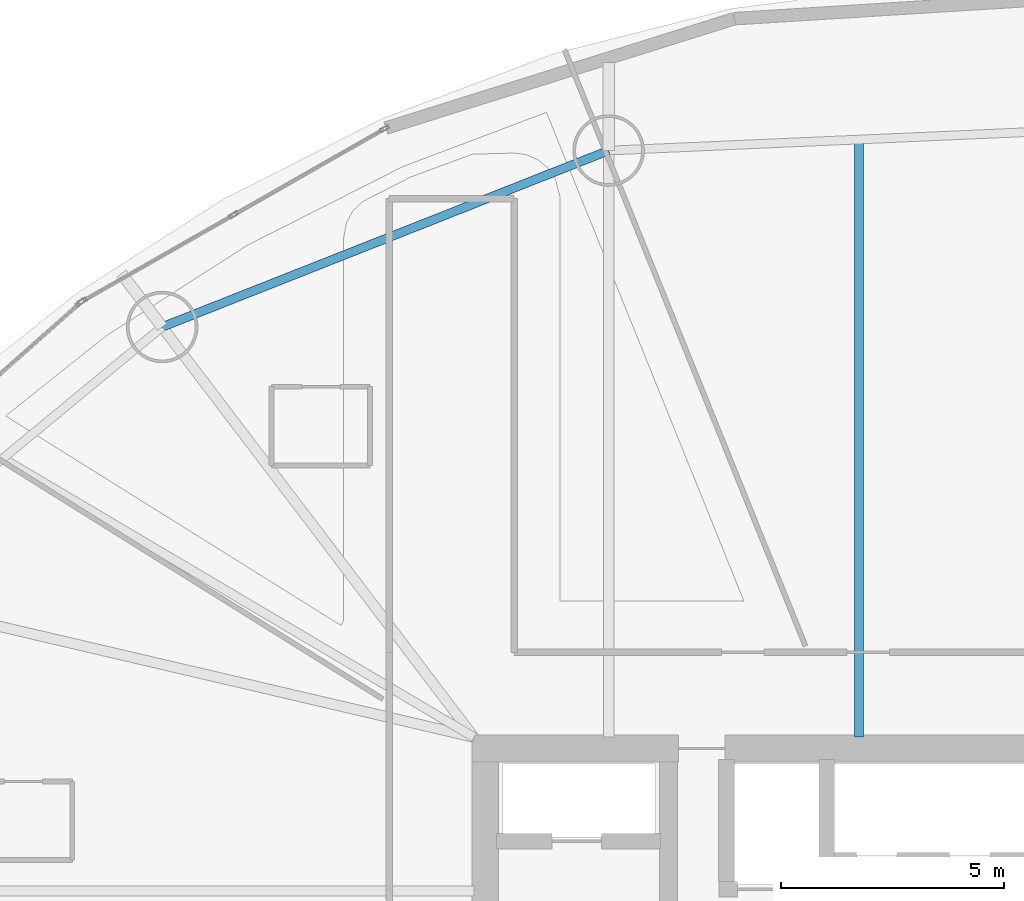
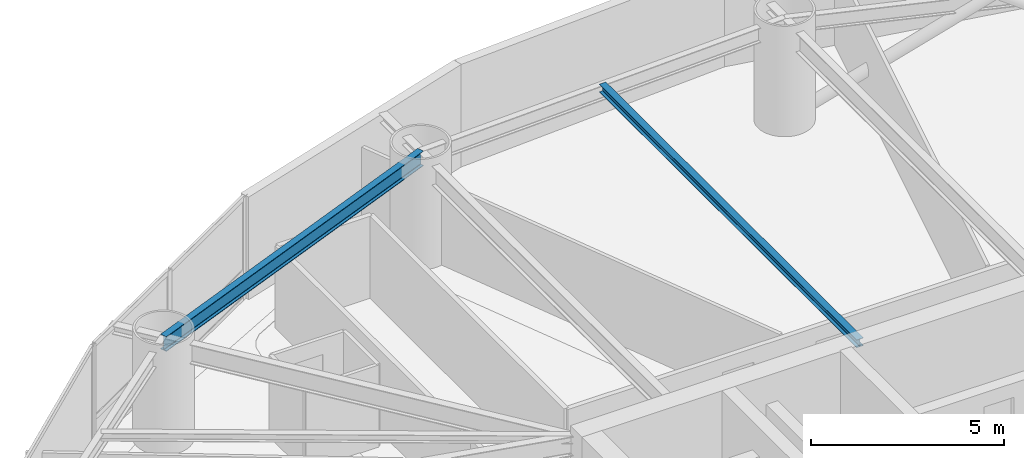
# One storey, part 14 of 26: 2 beams.
"""IFC4 building model written with IfcOpenShell, lengths in metres."""

from ifc_helpers import new_model, si_unit, direction, frame, origin, origin_2d, place, context, subcontext, project, spatial, i_section, extrude, material, material_profile, profile_set, type_object, element, save


model = new_model("IFC4")

# Units and contexts
model_context = context("Model", 3, precision=1e-05, world=origin(), true_north=direction((0.0, 1.0)))
body_context = subcontext(model_context, "Body", "Model", "MODEL_VIEW")
ifc_project = project(units=[si_unit("LENGTHUNIT", "METRE"), si_unit("AREAUNIT", "SQUARE_METRE"), si_unit("VOLUMEUNIT", "CUBIC_METRE"), si_unit("PLANEANGLEUNIT", "RADIAN"), si_unit("MASSUNIT", "GRAM", prefix="KILO")], contexts=[model_context])

# Site, building, storey
site_placement = place(None, origin())
site = spatial("IfcSite", under=ifc_project, at=site_placement, CompositionType="ELEMENT")
building_placement = place(site_placement, origin())
building = spatial("IfcBuilding", under=site, at=building_placement, Name="Bramvorn Convention Spire", CompositionType="ELEMENT")
storey_placement = place(building_placement, frame((0.0, 0.0, 51.89990234375)))
storey = spatial("IfcBuildingStorey", under=building, at=storey_placement, Name="L10", CompositionType="ELEMENT", Elevation=51.89990234375)

# Beams
ifc_material = material(Name="Steel CSA G40.21 Grade 350 (350W)", Category="steel")
ifc_material_profile_1 = material_profile(ifc_material, i_section(OverallWidth=0.201904296875, OverallDepth=0.2470703125, WebThickness=0.00732421875, FlangeThickness=0.010986328125, FilletRadius=0.011962890625, at=origin_2d()))
ifc_profile_set_1 = profile_set([ifc_material_profile_1], Name="Steel CSA G40.21 Grade 350 (350W) - W250X49")
beam_type_1 = type_object("IfcBeamType", Name="BM-W250X49", PredefinedType="JOIST", material=ifc_profile_set_1)
beam_1_placement = place(storey_placement, frame((35.361572265625, 33.449951171875, 3.126708984375), z_axis=(0.0, 1.0, 0.0), x_axis=(-1.0, 0.0, 0.0)))
element("IfcBeam", 1, at=beam_1_placement, inside=storey, type_object=beam_type_1, Name="L10 composite floor joist 05", PredefinedType="JOIST", context=body_context, shape_type="SweptSolid", body=[
    extrude(i_section(OverallWidth=0.201904296875, OverallDepth=0.2470703125, WebThickness=0.00732421875, FlangeThickness=0.010986328125, FilletRadius=0.011962890625, at=origin_2d()), origin(), (0.0, 0.0, 1.0), 13.372802734375),
])
ifc_material_profile_2 = material_profile(ifc_material, i_section(OverallWidth=0.194091796875, OverallDepth=0.468994140625, WebThickness=0.0126953125, FlangeThickness=0.0205078125, FilletRadius=0.01806640625, at=origin_2d()))
ifc_profile_set_2 = profile_set([ifc_material_profile_2], Name="Steel CSA G40.21 Grade 350 (350W) - W460X106")
beam_type_2 = type_object("IfcBeamType", Name="BM-W460X106", PredefinedType="SPANDREL", material=ifc_profile_set_2)
beam_2_placement = place(storey_placement, frame((29.76220703125, 46.57666015625, 3.015625), z_axis=(-0.93000950609, -0.367535465749, 0.0), x_axis=(0.367535465749, -0.93000950609, 0.0)))
element("IfcBeam", 2, at=beam_2_placement, inside=storey, type_object=beam_type_2, Name="L10 mega-column ring beam 06", PredefinedType="SPANDREL", context=body_context, shape_type="SweptSolid", body=[
    extrude(i_section(OverallWidth=0.194091796875, OverallDepth=0.468994140625, WebThickness=0.0126953125, FlangeThickness=0.0205078125, FilletRadius=0.01806640625, at=origin_2d()), origin(), (0.0, 0.0, 1.0), 10.74169921875),
])

save(model, "model.ifc")
